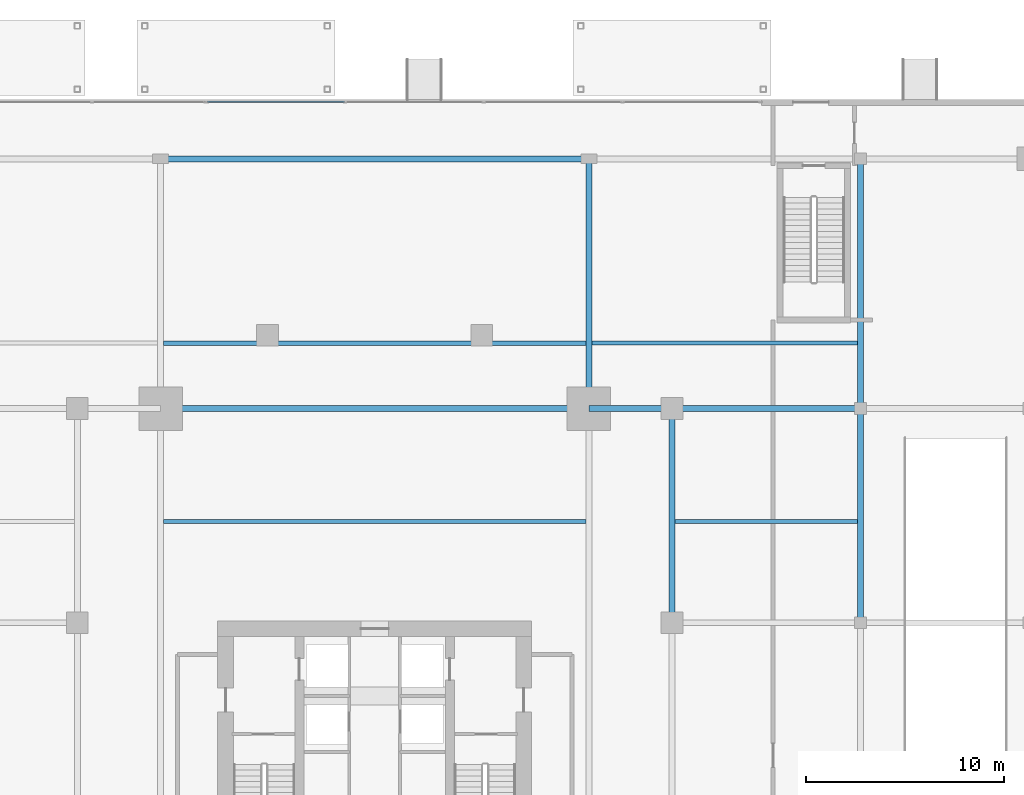
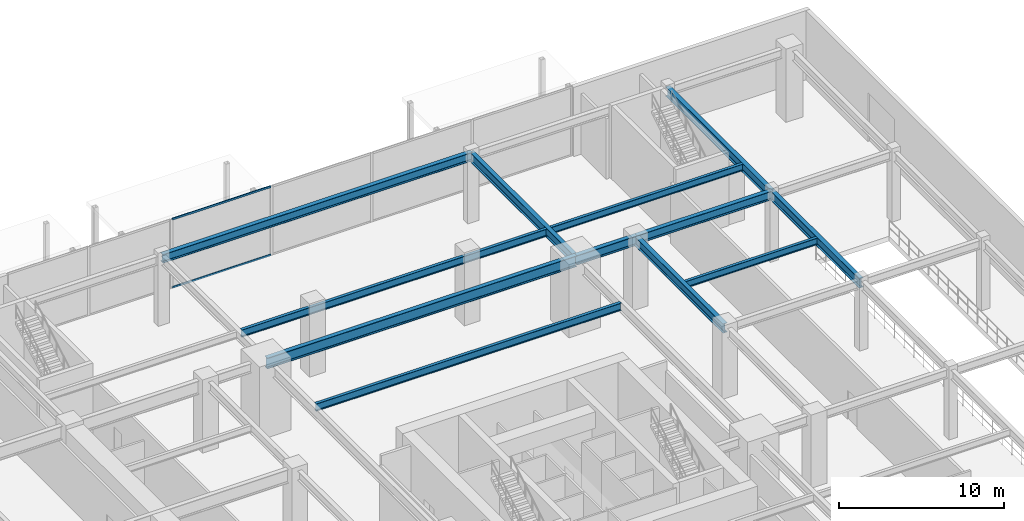
# One storey, part 15 of 28: 12 beams, 2 members, 1 element without a shape of its own.
"""IFC4 building model written with IfcOpenShell, lengths in metres."""

from ifc_helpers import new_model, si_unit, direction, frame, origin, origin_2d, place, context, subcontext, project, spatial, hollow_rectangle, i_section, extrude, source, transform, mapped, material, material_profile, profile_set, type_object, type_shapes, element, aggregate, save


model = new_model("IFC4")

# Units and contexts
model_context = context("Model", 3, precision=1e-05, world=origin(), true_north=direction((0.0, 1.0)))
body_context = subcontext(model_context, "Body", "Model", "MODEL_VIEW")
ifc_project = project(units=[si_unit("LENGTHUNIT", "METRE"), si_unit("AREAUNIT", "SQUARE_METRE"), si_unit("VOLUMEUNIT", "CUBIC_METRE"), si_unit("PLANEANGLEUNIT", "RADIAN"), si_unit("MASSUNIT", "GRAM", prefix="KILO")], contexts=[model_context])

# Site, building, storey
site_placement = place(None, origin())
site = spatial("IfcSite", under=ifc_project, at=site_placement, CompositionType="ELEMENT")
building_placement = place(site_placement, origin())
building = spatial("IfcBuilding", under=site, at=building_placement, Name="Krantzveldt Concourse Tower", CompositionType="ELEMENT")
storey_placement = place(building_placement, origin())
storey = spatial("IfcBuildingStorey", under=building, at=storey_placement, Name="L00", CompositionType="ELEMENT", Elevation=0.0)

# Beams
ifc_material_1 = material(Name="Steel S355J2", Category="steel")
ifc_material_profile_1 = material_profile(ifc_material_1, i_section(OverallWidth=0.300048828125, OverallDepth=0.800048828125, WebThickness=0.017578125, FlangeThickness=0.032958984375, FilletRadius=0.030029296875, at=origin_2d()), Name="Steel S355J2", Category="steel")
ifc_profile_set_1 = profile_set([ifc_material_profile_1], Name="Steel S355J2 - HEB 800")
beam_type_1 = type_object("IfcBeamType", Name="BM-B-HEB800", PredefinedType="BEAM", material=ifc_profile_set_1)
shared_shape_1 = source(origin(), body_context, "Body", "SweptSolid", [
    extrude(i_section(OverallWidth=0.300048828125, OverallDepth=0.800048828125, WebThickness=0.017578125, FlangeThickness=0.032958984375, FilletRadius=0.030029296875, at=origin_2d()), origin(), (0.0, 0.0, 1.0), 21.60009765625),
])
type_shapes(beam_type_1, [shared_shape_1])
beam_1_placement = place(storey_placement, frame((25.199951171875, 37.5, 4.699951171875), z_axis=(1.0, 0.0, 0.0), x_axis=(0.0, 1.0, 0.0)))
element("IfcBeam", 1, at=beam_1_placement, inside=storey, type_object=beam_type_1, Name="L00 Podium Primary Girder BG-MN", PredefinedType="BEAM", context=body_context, shape_type="MappedRepresentation", body=[
    mapped(shared_shape_1, transform((0.0, 0.0, 0.0), x_axis=(1.0, 0.0, 0.0), y_axis=(0.0, 1.0, 0.0), z_axis=(0.0, 0.0, 1.0), scale=1.0)),
])
ifc_material_2 = material(Name="Steel S355JR", Category="steel")
ifc_material_profile_2 = material_profile(ifc_material_2, i_section(OverallWidth=0.300048828125, OverallDepth=0.68994140625, WebThickness=0.014404296875, FlangeThickness=0.027099609375, FilletRadius=0.027099609375, at=origin_2d()), Name="Steel S355JR", Category="steel")
ifc_profile_set_2 = profile_set([ifc_material_profile_2], Name="Steel S355JR - HEA 700")
beam_type_2 = type_object("IfcBeamType", Name="BM-B-HEA700", PredefinedType="BEAM", material=ifc_profile_set_2)
shared_shape_2 = source(origin(), body_context, "Body", "SweptSolid", [
    extrude(i_section(OverallWidth=0.300048828125, OverallDepth=0.68994140625, WebThickness=0.014404296875, FlangeThickness=0.027099609375, FilletRadius=0.027099609375, at=origin_2d()), origin(), (0.0, 0.0, 1.0), 10.800048828125),
])
for number, where, z_axis, x_axis, name in (
    (2, (51.0, 26.699951171875, 4.7548828125), (0.0, 1.0, 0.0), (-1.0, 0.0, 0.0), "L00 Podium Primary Girder BG-RE2"),
    (3, (60.5, 26.699951171875, 4.7548828125), (0.0, 1.0, 0.0), (-1.0, 0.0, 0.0), "L00 Podium Primary Girder BG-IE-3"),
):
    element("IfcBeam", number, at=place(storey_placement, frame(where, z_axis=z_axis, x_axis=x_axis)), inside=storey, type_object=beam_type_2, Name=name, PredefinedType="BEAM", context=body_context, shape_type="MappedRepresentation", body=[
        mapped(shared_shape_2, transform((0.0, 0.0, 0.0), x_axis=(1.0, 0.0, 0.0), y_axis=(0.0, 1.0, 0.0), z_axis=(0.0, 0.0, 1.0), scale=1.0)),
    ])
ifc_material_profile_3 = material_profile(ifc_material_1, i_section(OverallWidth=0.300048828125, OverallDepth=0.699951171875, WebThickness=0.01708984375, FlangeThickness=0.031982421875, FilletRadius=0.027099609375, at=origin_2d()), Name="Steel S355J2", Category="steel")
ifc_profile_set_3 = profile_set([ifc_material_profile_3], Name="Steel S355J2 - HEB 700")
beam_type_3 = type_object("IfcBeamType", Name="BM-B-HEB700", PredefinedType="BEAM", material=ifc_profile_set_3)
shared_shape_3 = source(origin(), body_context, "Body", "SweptSolid", [
    extrude(i_section(OverallWidth=0.300048828125, OverallDepth=0.699951171875, WebThickness=0.01708984375, FlangeThickness=0.031982421875, FilletRadius=0.027099609375, at=origin_2d()), origin(), (0.0, 0.0, 1.0), 4.199951171875),
])
type_shapes(beam_type_3, [shared_shape_3])
beam_2_placement = place(storey_placement, frame((46.800048828125, 37.5, 4.75), z_axis=(1.0, 0.0, 0.0), x_axis=(0.0, 1.0, 0.0)))
element("IfcBeam", 4, at=beam_2_placement, inside=storey, type_object=beam_type_3, Name="L00 Podium Primary Girder BG-RR3", PredefinedType="BEAM", context=body_context, shape_type="MappedRepresentation", body=[
    mapped(shared_shape_3, transform((0.0, 0.0, 0.0), x_axis=(1.0, 0.0, 0.0), y_axis=(0.0, 1.0, 0.0), z_axis=(0.0, 0.0, 1.0), scale=1.0)),
])
shared_shape_4 = source(origin(), body_context, "Body", "SweptSolid", [
    extrude(i_section(OverallWidth=0.300048828125, OverallDepth=0.68994140625, WebThickness=0.014404296875, FlangeThickness=0.027099609375, FilletRadius=0.027099609375, at=origin_2d()), origin(), (0.0, 0.0, 1.0), 12.60009765625),
])
type_shapes(beam_type_2, [shared_shape_2, shared_shape_4])
for number, where, z_axis, x_axis, name in (
    (5, (46.800048828125, 37.5, 4.7548828125), (0.0, 1.0, 0.0), (-1.0, 0.0, 0.0), "L00 Podium Primary Girder BG-PN2"),
    (6, (60.5, 37.5, 4.7548828125), (0.0, 1.0, 0.0), (-1.0, 0.0, 0.0), "L00 Podium Primary Girder BG-IE-4"),
):
    element("IfcBeam", number, at=place(storey_placement, frame(where, z_axis=z_axis, x_axis=x_axis)), inside=storey, type_object=beam_type_2, Name=name, PredefinedType="BEAM", context=body_context, shape_type="MappedRepresentation", body=[
        mapped(shared_shape_4, transform((0.0, 0.0, 0.0), x_axis=(1.0, 0.0, 0.0), y_axis=(0.0, 1.0, 0.0), z_axis=(0.0, 0.0, 1.0), scale=1.0)),
    ])
ifc_material_profile_4 = material_profile(ifc_material_2, i_section(OverallWidth=0.300048828125, OverallDepth=0.639892578125, WebThickness=0.013427734375, FlangeThickness=0.02587890625, FilletRadius=0.027099609375, at=origin_2d()), Name="Steel S355JR", Category="steel")
ifc_profile_set_4 = profile_set([ifc_material_profile_4], Name="Steel S355JR - HEA 650")
beam_type_4 = type_object("IfcBeamType", Name="BM-B-HEA650", PredefinedType="BEAM", material=ifc_profile_set_4)
shared_shape_5 = source(origin(), body_context, "Body", "SweptSolid", [
    extrude(i_section(OverallWidth=0.300048828125, OverallDepth=0.639892578125, WebThickness=0.013427734375, FlangeThickness=0.02587890625, FilletRadius=0.027099609375, at=origin_2d()), origin(), (0.0, 0.0, 1.0), 21.60009765625),
])
beam_3_placement = place(storey_placement, frame((25.199951171875, 50.10009765625, 4.780029296875), z_axis=(1.0, 0.0, 0.0), x_axis=(0.0, 1.0, 0.0)))
element("IfcBeam", 7, at=beam_3_placement, inside=storey, type_object=beam_type_4, Name="L00 Podium Primary Girder BG-NN2", PredefinedType="BEAM", context=body_context, shape_type="MappedRepresentation", body=[
    mapped(shared_shape_5, transform((0.0, 0.0, 0.0), x_axis=(1.0, 0.0, 0.0), y_axis=(0.0, 1.0, 0.0), z_axis=(0.0, 0.0, 1.0), scale=1.0)),
])
shared_shape_6 = source(origin(), body_context, "Body", "SweptSolid", [
    extrude(i_section(OverallWidth=0.300048828125, OverallDepth=0.639892578125, WebThickness=0.013427734375, FlangeThickness=0.02587890625, FilletRadius=0.027099609375, at=origin_2d()), origin(), (0.0, 0.0, 1.0), 9.5),
])
type_shapes(beam_type_4, [shared_shape_5, shared_shape_6])
beam_4_placement = place(storey_placement, frame((51.0, 37.5, 4.780029296875), z_axis=(1.0, 0.0, 0.0), x_axis=(0.0, 1.0, 0.0)))
element("IfcBeam", 8, at=beam_4_placement, inside=storey, type_object=beam_type_4, Name="L00 Podium Primary Girder BG-ME3", PredefinedType="BEAM", context=body_context, shape_type="MappedRepresentation", body=[
    mapped(shared_shape_6, transform((0.0, 0.0, 0.0), x_axis=(1.0, 0.0, 0.0), y_axis=(0.0, 1.0, 0.0), z_axis=(0.0, 0.0, 1.0), scale=1.0)),
])
ifc_material_profile_5 = material_profile(ifc_material_2, i_section(OverallWidth=0.2099609375, OverallDepth=0.550048828125, WebThickness=0.010986328125, FlangeThickness=0.01708984375, FilletRadius=0.02392578125, at=origin_2d()), Name="Steel S355JR", Category="steel")
ifc_profile_set_5 = profile_set([ifc_material_profile_5], Name="Steel S355JR - IPE 550")
beam_type_5 = type_object("IfcBeamType", Name="BM-J-IPE550", PredefinedType="JOIST", material=ifc_profile_set_5)
shared_shape_7 = source(origin(), body_context, "Body", "SweptSolid", [
    extrude(i_section(OverallWidth=0.2099609375, OverallDepth=0.550048828125, WebThickness=0.010986328125, FlangeThickness=0.01708984375, FilletRadius=0.02392578125, at=origin_2d()), origin(), (0.0, 0.0, 1.0), 21.2998046875),
])
type_shapes(beam_type_5, [shared_shape_7])
for number, where, z_axis, x_axis, name in (
    (9, (25.35009765625, 31.800048828125, 4.824951171875), (1.0, 0.0, 0.0), (0.0, 1.0, 0.0), "L00 Central Floor Joist 2"),
    (10, (25.35009765625, 40.800048828125, 4.824951171875), (1.0, 0.0, 0.0), (0.0, 1.0, 0.0), "L00 Central Floor Joist 3"),
):
    element("IfcBeam", number, at=place(storey_placement, frame(where, z_axis=z_axis, x_axis=x_axis)), inside=storey, type_object=beam_type_5, Name=name, PredefinedType="JOIST", context=body_context, shape_type="MappedRepresentation", body=[
        mapped(shared_shape_7, transform((0.0, 0.0, 0.0), x_axis=(1.0, 0.0, 0.0), y_axis=(0.0, 1.0, 0.0), z_axis=(0.0, 0.0, 1.0), scale=1.0)),
    ])
ifc_material_profile_6 = material_profile(ifc_material_2, i_section(OverallWidth=0.199951171875, OverallDepth=0.5, WebThickness=0.01025390625, FlangeThickness=0.01611328125, FilletRadius=0.02099609375, at=origin_2d()), Name="Steel S355JR", Category="steel")
ifc_profile_set_6 = profile_set([ifc_material_profile_6], Name="Steel S355JR - IPE 500")
beam_type_6 = type_object("IfcBeamType", Name="BM-J-IPE500", PredefinedType="JOIST", material=ifc_profile_set_6)
shared_shape_8 = source(origin(), body_context, "Body", "SweptSolid", [
    extrude(i_section(OverallWidth=0.199951171875, OverallDepth=0.5, WebThickness=0.01025390625, FlangeThickness=0.01611328125, FilletRadius=0.02099609375, at=origin_2d()), origin(), (0.0, 0.0, 1.0), 13.400146484375),
])
beam_5_placement = place(storey_placement, frame((46.949951171875, 40.800048828125, 4.85009765625), z_axis=(1.0, 0.0, 0.0), x_axis=(0.0, 1.0, 0.0)))
element("IfcBeam", 11, at=beam_5_placement, inside=storey, type_object=beam_type_6, Name="L00 East Inner Joist 3", PredefinedType="JOIST", context=body_context, shape_type="MappedRepresentation", body=[
    mapped(shared_shape_8, transform((0.0, 0.0, 0.0), x_axis=(1.0, 0.0, 0.0), y_axis=(0.0, 1.0, 0.0), z_axis=(0.0, 0.0, 1.0), scale=1.0)),
])
shared_shape_9 = source(origin(), body_context, "Body", "SweptSolid", [
    extrude(i_section(OverallWidth=0.199951171875, OverallDepth=0.5, WebThickness=0.01025390625, FlangeThickness=0.01611328125, FilletRadius=0.02099609375, at=origin_2d()), origin(), (0.0, 0.0, 1.0), 9.2001953125),
])
type_shapes(beam_type_6, [shared_shape_8, shared_shape_9])
beam_6_placement = place(storey_placement, frame((51.14990234375, 31.800048828125, 4.85009765625), z_axis=(1.0, 0.0, 0.0), x_axis=(0.0, 1.0, 0.0)))
element("IfcBeam", 12, at=beam_6_placement, inside=storey, type_object=beam_type_6, Name="L00 East Inner Joist 2", PredefinedType="JOIST", context=body_context, shape_type="MappedRepresentation", body=[
    mapped(shared_shape_9, transform((0.0, 0.0, 0.0), x_axis=(1.0, 0.0, 0.0), y_axis=(0.0, 1.0, 0.0), z_axis=(0.0, 0.0, 1.0), scale=1.0)),
])

# Curtain wall, members
ifc_material_3 = material(Name="Anodised aluminium 6063-T6", Category="aluminium")
curtain_wall_type = type_object("IfcCurtainWallType", Name="CW1", PredefinedType="USERDEFINED", material=ifc_material_3)
curtain_wall_placement = place(storey_placement, origin())
curtain_wall = element("IfcCurtainWall", 13, at=curtain_wall_placement, inside=storey, type_object=curtain_wall_type, Name="CW-L00-NC2", ObjectType="UNITISED CURTAIN WALL", PredefinedType="USERDEFINED")
ifc_material_profile_7 = material_profile(ifc_material_3, hollow_rectangle(XDim=0.070068359375, YDim=0.139892578125, WallThickness=0.0048828125, at=origin_2d()), Name="Anodised aluminium 6063-T6", Category="aluminium")
ifc_profile_set_7 = profile_set([ifc_material_profile_7], Name="Anodised aluminium 6063-T6 - ALU-TRAN 140x70x5")
member_type = type_object("IfcMemberType", Name="CW-TRN-150", PredefinedType="USERDEFINED", material=ifc_profile_set_7)
shared_shape_10 = source(origin(), body_context, "Body", "SweptSolid", [
    extrude(hollow_rectangle(XDim=0.070068359375, YDim=0.139892578125, WallThickness=0.0048828125, at=origin_2d()), origin(), (0.0, 0.0, 1.0), 6.89501953125),
])
type_shapes(member_type, [shared_shape_10])
member_1_placement = place(storey_placement, frame((34.465087890625, 52.969970703125, 0.034912109375), z_axis=(-1.0, 0.0, 0.0), x_axis=(0.0, -1.0, 0.0)))
member_1 = element("IfcMember", 14, at=member_1_placement, type_object=member_type, Name="CW-POD transom 4.1", ObjectType="TRANSOM", PredefinedType="USERDEFINED", context=body_context, shape_type="MappedRepresentation", body=[
    mapped(shared_shape_10, transform((0.0, 0.0, 0.0), x_axis=(1.0, 0.0, 0.0), y_axis=(0.0, 1.0, 0.0), z_axis=(0.0, 0.0, 1.0), scale=1.0)),
])
member_2_placement = place(storey_placement, frame((34.465087890625, 52.969970703125, 5.06494140625), z_axis=(-1.0, 0.0, 0.0), x_axis=(0.0, -1.0, 0.0)))
member_2 = element("IfcMember", 15, at=member_2_placement, type_object=member_type, Name="CW-POD transom 4.2", ObjectType="TRANSOM", PredefinedType="USERDEFINED", context=body_context, shape_type="MappedRepresentation", body=[
    mapped(shared_shape_10, transform((0.0, 0.0, 0.0), x_axis=(1.0, 0.0, 0.0), y_axis=(0.0, 1.0, 0.0), z_axis=(0.0, 0.0, 1.0), scale=1.0)),
])
aggregate(curtain_wall, [member_1, member_2])

save(model, "model.ifc")
